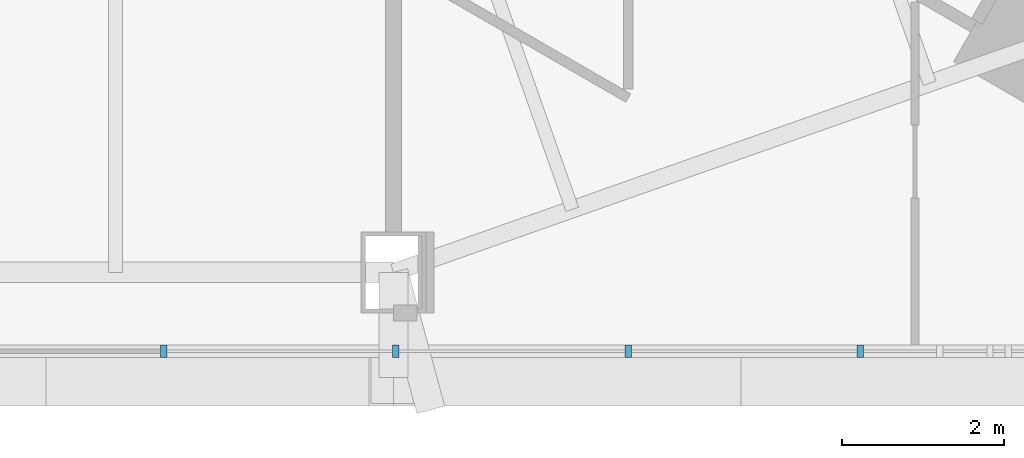
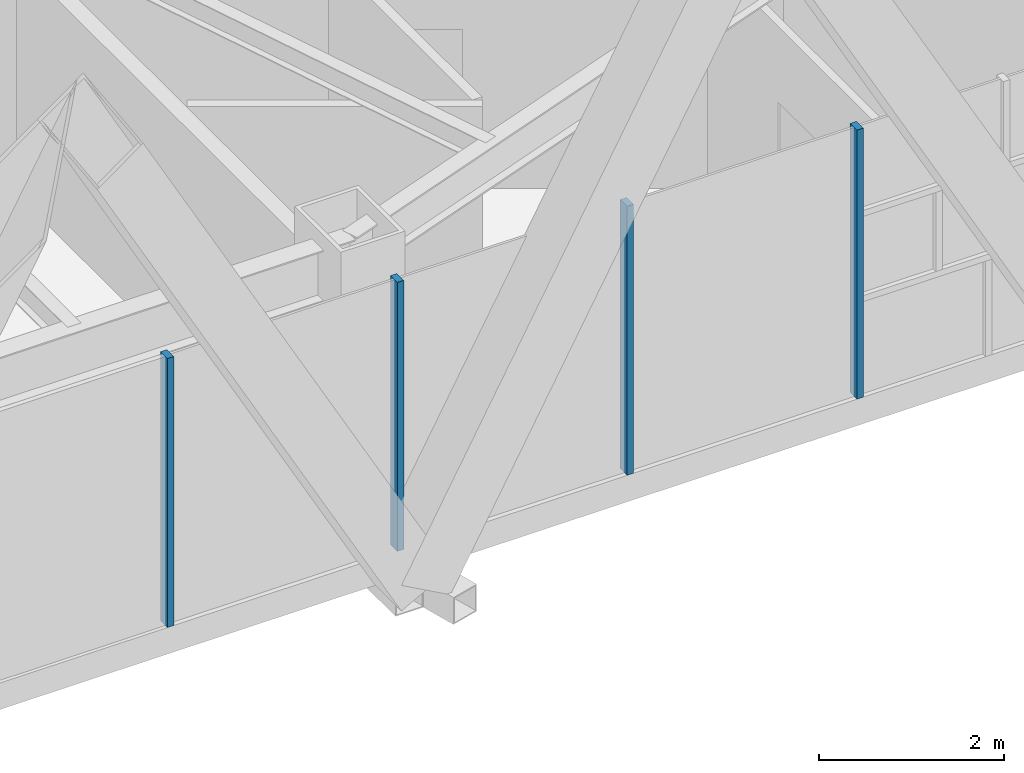
# One storey, part 4 of 23: 4 members, 2 openings, 1 element without a shape of its own.
"""IFC4 building model written with IfcOpenShell, lengths in metres."""

from ifc_helpers import new_model, si_unit, direction, frame, frame_2d, origin, origin_2d, place, context, subcontext, project, spatial, rectangle, extrude, material, layer, layer_set, material_profile, profile_set, type_object, element, aggregate, save


model = new_model("IFC4")

# Units and contexts
model_context = context("Model", 3, precision=1e-05, world=origin(), true_north=direction((0.0, 1.0)))
body_context = subcontext(model_context, "Body", "Model", "MODEL_VIEW")
ifc_project = project(units=[si_unit("LENGTHUNIT", "METRE"), si_unit("AREAUNIT", "SQUARE_METRE"), si_unit("VOLUMEUNIT", "CUBIC_METRE"), si_unit("PLANEANGLEUNIT", "RADIAN"), si_unit("MASSUNIT", "GRAM", prefix="KILO")], contexts=[model_context])

# Site, building, storey
site_placement = place(None, origin())
site = spatial("IfcSite", under=ifc_project, at=site_placement, CompositionType="ELEMENT")
building_placement = place(site_placement, origin())
building = spatial("IfcBuilding", under=site, at=building_placement, Name="Firuza Gate Tower and Library", CompositionType="ELEMENT")
storey_placement = place(building_placement, frame((0.0, 0.0, 202.60009765625)))
storey = spatial("IfcBuildingStorey", under=building, at=storey_placement, Name="L47", CompositionType="ELEMENT", Elevation=202.60009765625)

# Curtain wall, openings, members
ifc_material_1 = material(Name="Aluminium 6063-T6", Category="aluminium")
ifc_layer = layer(ifc_material_1, 0.14990234375)
ifc_layer_set = layer_set([ifc_layer], Name="Unitised curtain wall, hotel")
curtain_wall_type = type_object("IfcCurtainWallType", Name="Unitised curtain wall, hotel", PredefinedType="NOTDEFINED", material=ifc_layer_set)
curtain_wall_placement = place(storey_placement, origin())
curtain_wall = element("IfcCurtainWall", 1, at=curtain_wall_placement, inside=storey, type_object=curtain_wall_type, Name="CW2 L47 S face", PredefinedType="NOTDEFINED")
opening_1_placement = place(curtain_wall_placement, frame((52.0849609375, 55.88330078125, 0.14990234375), z_axis=(0.0, 0.0, 1.0), x_axis=(1.0, 0.0, 0.0)))
element("IfcOpeningElement", 2, at=opening_1_placement, cuts=curtain_wall, Name="Opening WD1-003", PredefinedType="OPENING", context=body_context, shape_type="SweptSolid", body=[
    extrude(rectangle(XDim=2.789306640625, YDim=3.550048828125, at=frame_2d((1.39453125, 1.77490234375))), frame((0.0, 0.0849609375, 0.0), z_axis=(0.0, -1.0, 0.0), x_axis=(1.0, 0.0, 0.0)), (0.0, 0.0, 1.0), 0.169921875),
])
opening_2_placement = place(curtain_wall_placement, frame((86.517578125, 55.88330078125, 0.14990234375), z_axis=(0.0, 0.0, 1.0), x_axis=(1.0, 0.0, 0.0)))
element("IfcOpeningElement", 3, at=opening_2_placement, cuts=curtain_wall, Name="Opening WD1-004", PredefinedType="OPENING", context=body_context, shape_type="SweptSolid", body=[
    extrude(rectangle(XDim=2.789306640625, YDim=3.550048828125, at=frame_2d((1.39453125, 1.77490234375))), frame((0.0, 0.0849609375, 0.0), z_axis=(0.0, -1.0, 0.0), x_axis=(1.0, 0.0, 0.0)), (0.0, 0.0, 1.0), 0.169921875),
])
ifc_material_2 = material(Name="Aluminium 6063-T6", Category="aluminium")
ifc_material_profile = material_profile(ifc_material_2, rectangle(XDim=0.14990234375, YDim=0.080078125, at=origin_2d()))
ifc_profile_set = profile_set([ifc_material_profile], Name="Aluminium 6063-T6")
member_type = type_object("IfcMemberType", Name="Curtain wall mullion 80x150", PredefinedType="MULLION", material=ifc_profile_set)
member_1_placement = place(storey_placement, frame((89.346923828125, 55.88330078125, 0.14990234375), z_axis=(0.0, 0.0, 1.0), x_axis=(0.0, 1.0, 0.0)))
member_1 = element("IfcMember", 4, at=member_1_placement, type_object=member_type, Name="Mullion", PredefinedType="MULLION", context=body_context, shape_type="SweptSolid", body=[
    extrude(rectangle(XDim=0.14990234375, YDim=0.080078125, at=origin_2d()), origin(), (0.0, 0.0, 1.0), 3.550048828125),
])
member_2_placement = place(storey_placement, frame((92.21630859375, 55.88330078125, 0.14990234375), z_axis=(0.0, 0.0, 1.0), x_axis=(0.0, 1.0, 0.0)))
member_2 = element("IfcMember", 5, at=member_2_placement, type_object=member_type, Name="Mullion", PredefinedType="MULLION", context=body_context, shape_type="SweptSolid", body=[
    extrude(rectangle(XDim=0.14990234375, YDim=0.080078125, at=origin_2d()), origin(), (0.0, 0.0, 1.0), 3.550048828125),
])
member_3_placement = place(storey_placement, frame((95.085693359375, 55.88330078125, 0.14990234375), z_axis=(0.0, 0.0, 1.0), x_axis=(0.0, 1.0, 0.0)))
member_3 = element("IfcMember", 6, at=member_3_placement, type_object=member_type, Name="Mullion", PredefinedType="MULLION", context=body_context, shape_type="SweptSolid", body=[
    extrude(rectangle(XDim=0.14990234375, YDim=0.080078125, at=origin_2d()), origin(), (0.0, 0.0, 1.0), 3.550048828125),
])
member_4_placement = place(storey_placement, frame((97.955078125, 55.88330078125, 0.14990234375), z_axis=(0.0, 0.0, 1.0), x_axis=(0.0, 1.0, 0.0)))
member_4 = element("IfcMember", 7, at=member_4_placement, type_object=member_type, Name="Mullion", PredefinedType="MULLION", context=body_context, shape_type="SweptSolid", body=[
    extrude(rectangle(XDim=0.14990234375, YDim=0.080078125, at=origin_2d()), origin(), (0.0, 0.0, 1.0), 3.550048828125),
])
aggregate(curtain_wall, [member_1, member_2, member_3, member_4])

save(model, "model.ifc")
